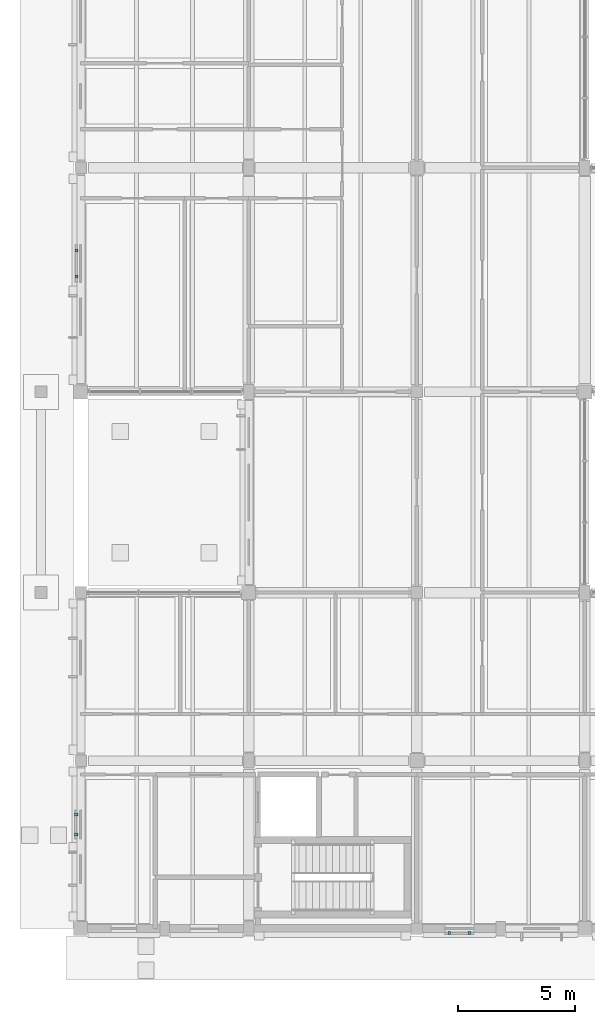
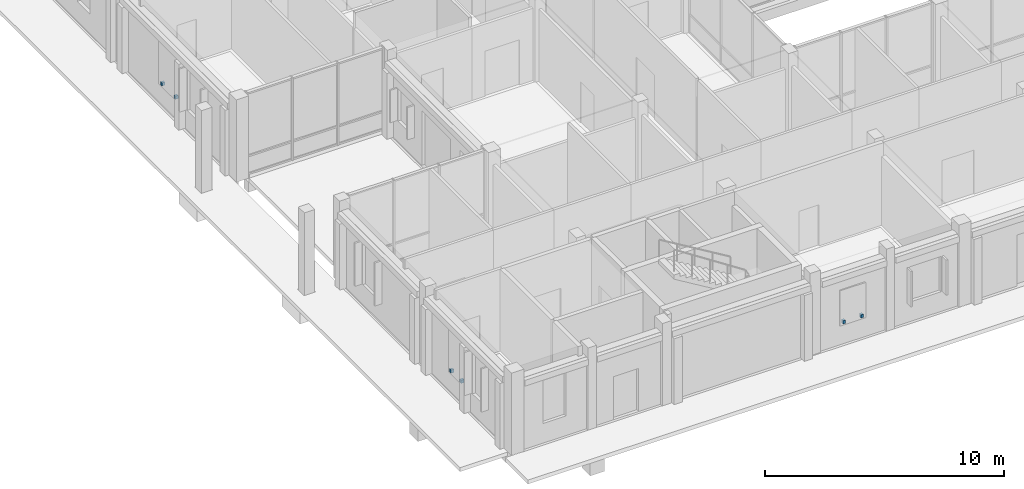
# One storey, part 85 of 104: 6 discrete accessories.
"""IFC4 building model written with IfcOpenShell, lengths in metres."""

from ifc_helpers import new_model, si_unit, direction, frame, origin, origin_2d, place, context, subcontext, project, spatial, rectangle, extrude, material, type_object, element, save


model = new_model("IFC4")

# Units and contexts
model_context = context("Model", 3, precision=1e-05, world=origin(), true_north=direction((0.0, 1.0)))
body_context = subcontext(model_context, "Body", "Model", "MODEL_VIEW")
ifc_project = project(units=[si_unit("LENGTHUNIT", "METRE"), si_unit("AREAUNIT", "SQUARE_METRE"), si_unit("VOLUMEUNIT", "CUBIC_METRE"), si_unit("PLANEANGLEUNIT", "RADIAN"), si_unit("MASSUNIT", "GRAM", prefix="KILO")], contexts=[model_context])

# Site, building, storey
site_placement = place(None, origin())
site = spatial("IfcSite", under=ifc_project, at=site_placement, CompositionType="ELEMENT")
building_placement = place(site_placement, origin())
building = spatial("IfcBuilding", under=site, at=building_placement, Name="Hawrajan Terrace Health Centre", CompositionType="ELEMENT")
storey_placement = place(building_placement, origin())
storey = spatial("IfcBuildingStorey", under=building, at=storey_placement, Name="L00", CompositionType="ELEMENT", Elevation=0.0)

# Discrete accessories
ifc_material = material(Name="Steel S355", Category="steel")
discrete_accessory_type = type_object("IfcDiscreteAccessoryType", Name="FacadeBracket_S355", PredefinedType="BRACKET", material=ifc_material)
for number, where, z_axis, x_axis, name in (
    (1, (4.409912109375, 8.23291015625, 1.06982421875), (0.0, 0.0, 1.0), (0.0, 1.0, 0.0), "Roshan support bracket BRK-L00-003-1"),
    (2, (4.409912109375, 9.0869140625, 1.06982421875), (0.0, 0.0, 1.0), (0.0, 1.0, 0.0), "Roshan support bracket BRK-L00-003-2"),
    (3, (4.419921875, 32.139892578125, 1.06982421875), (0.0, 0.0, 1.0), (0.0, 1.0, 0.0), "Roshan support bracket BRK-L00-008-1"),
    (4, (4.419921875, 33.260009765625, 1.06982421875), (0.0, 0.0, 1.0), (0.0, 1.0, 0.0), "Roshan support bracket BRK-L00-008-2"),
    (5, (20.39111328125, 4.010009765625, 1.06982421875), (0.0, 0.0, 1.0), (1.0, 0.0, 0.0), "Roshan support bracket BRK-L00-016-1"),
    (6, (21.259033203125, 4.010009765625, 1.06982421875), (0.0, 0.0, 1.0), (1.0, 0.0, 0.0), "Roshan support bracket BRK-L00-016-2"),
):
    element("IfcDiscreteAccessory", number, at=place(storey_placement, frame(where, z_axis=z_axis, x_axis=x_axis)), inside=storey, type_object=discrete_accessory_type, Name=name, PredefinedType="BRACKET", context=body_context, shape_type="SweptSolid", body=[
        extrude(rectangle(XDim=0.1201171875, YDim=0.139892578125, at=origin_2d()), origin(), (0.0, 0.0, 1.0), 0.159912109375),
    ])

save(model, "model.ifc")
